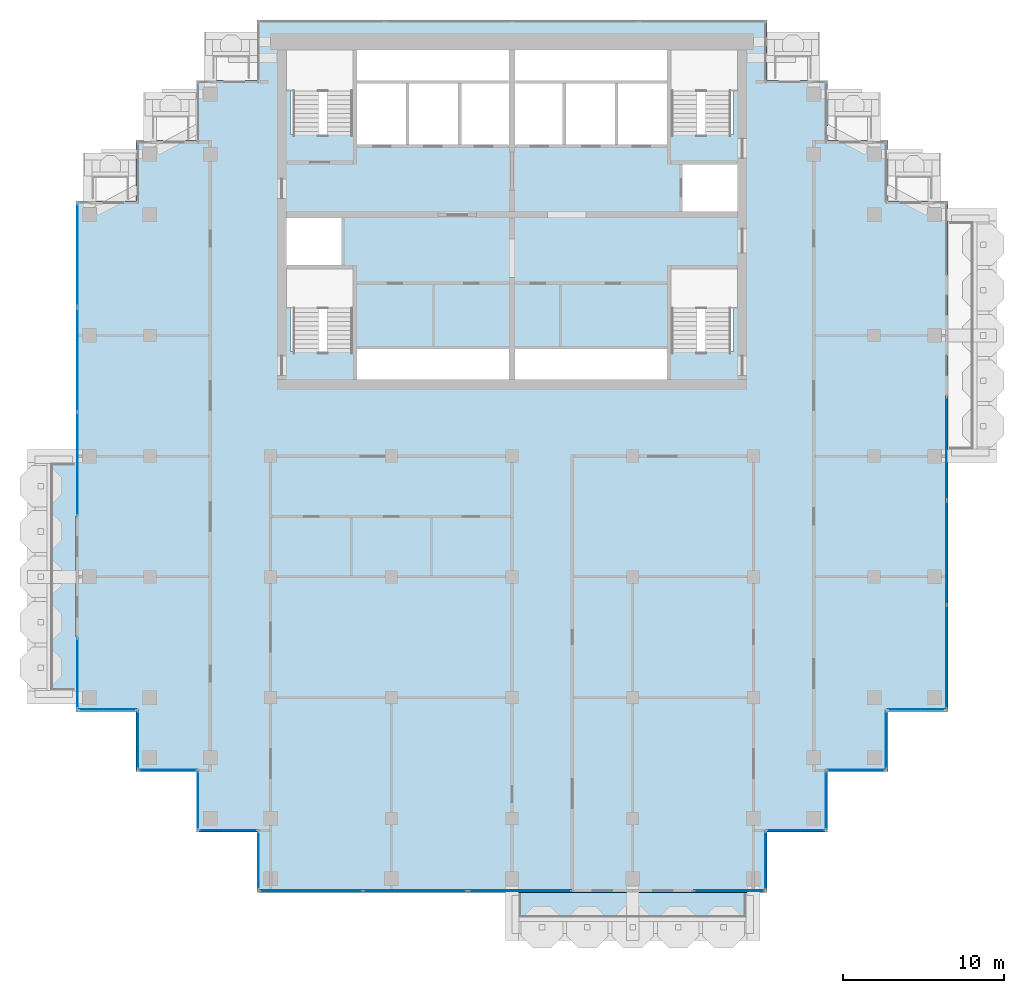
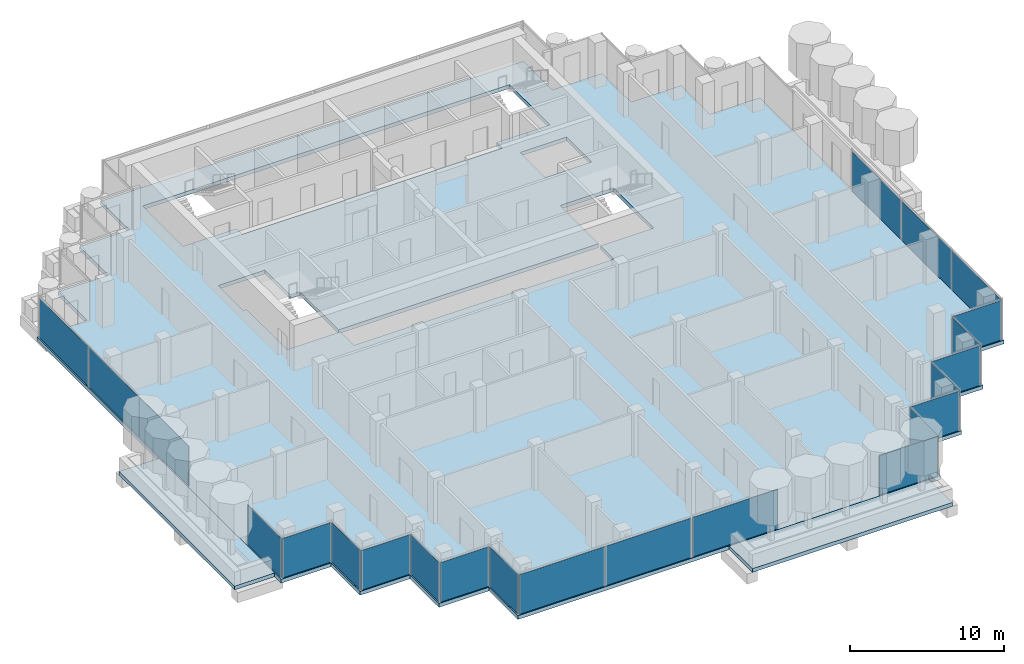
# One storey, part 8 of 18: 23 plates, 3 slabs, 20 elements without a shape of their own.
"""IFC4 building model written with IfcOpenShell, lengths in metres."""

from ifc_helpers import new_model, si_unit, direction, frame, origin, origin_2d, place, context, subcontext, project, spatial, polyline, rectangle, outline, extrude, material, layer, layer_set, type_object, element, aggregate, save


model = new_model("IFC4")

# Units and contexts
model_context = context("Model", 3, precision=1e-05, world=origin(), true_north=direction((0.0, 1.0)))
body_context = subcontext(model_context, "Body", "Model", "MODEL_VIEW")
ifc_project = project(units=[si_unit("LENGTHUNIT", "METRE"), si_unit("AREAUNIT", "SQUARE_METRE"), si_unit("VOLUMEUNIT", "CUBIC_METRE"), si_unit("PLANEANGLEUNIT", "RADIAN"), si_unit("MASSUNIT", "GRAM", prefix="KILO")], contexts=[model_context])

# Site, building, storey
site_placement = place(None, origin())
site = spatial("IfcSite", under=ifc_project, at=site_placement, CompositionType="ELEMENT")
building_placement = place(site_placement, origin())
building = spatial("IfcBuilding", under=site, at=building_placement, Name="Pilkhan Gate Tower", CompositionType="ELEMENT")
storey_placement = place(building_placement, frame((0.0, 0.0, 231.89990234375)))
storey = spatial("IfcBuildingStorey", under=building, at=storey_placement, Name="L60", CompositionType="ELEMENT", Elevation=231.89990234375)

# Slabs
ifc_material_1 = material(Name="Concrete C60/75", Category="concrete")
ifc_layer_1 = layer(ifc_material_1, 0.300048828125)
ifc_layer_set_1 = layer_set([ifc_layer_1], Name="Balcony tray slab TR300")
slab_type_1 = type_object("IfcSlabType", Name="Balcony tray slab TR300", PredefinedType="FLOOR", material=ifc_layer_set_1)
slab_1_placement = place(storey_placement, frame((0.0, 0.0, -0.2998046875)))
element("IfcSlab", 1, at=slab_1_placement, inside=storey, type_object=slab_type_1, Name="Balcony tray L60 S", PredefinedType="FLOOR", context=body_context, shape_type="SweptSolid", body=[
    extrude(outline(polyline([(90.0, 37.39990234375), (90.0, 40.39990234375), (75.0, 40.39990234375), (75.0, 37.39990234375), (90.0, 37.39990234375)])), origin(), (0.0, 0.0, 1.0), 0.2998046875),
])
slab_2_placement = place(storey_placement, frame((0.0, 0.0, -0.2998046875)))
element("IfcSlab", 2, at=slab_2_placement, inside=storey, type_object=slab_type_1, Name="Balcony tray L60 W", PredefinedType="FLOOR", context=body_context, shape_type="SweptSolid", body=[
    extrude(outline(polyline([(47.89990234375, 52.5), (47.89990234375, 67.5), (44.89990234375, 67.5), (44.89990234375, 52.5), (47.89990234375, 52.5)])), origin(), (0.0, 0.0, 1.0), 0.2998046875),
])
ifc_material_2 = material(Name="Concrete C40/50", Category="concrete")
ifc_layer_2 = layer(ifc_material_2, 0.300048828125)
ifc_layer_set_2 = layer_set([ifc_layer_2], Name="Flat plate slab FP300")
slab_type_2 = type_object("IfcSlabType", Name="Flat plate slab FP300", PredefinedType="FLOOR", material=ifc_layer_set_2)
slab_3_placement = place(storey_placement, frame((0.0, 0.0, -0.2998046875)))
element("IfcSlab", 3, at=slab_3_placement, inside=storey, type_object=slab_type_2, Name="Floor slab L60", PredefinedType="FLOOR", context=body_context, shape_type="SweptSolid", body=[
    extrude(outline(polyline([(98.35009765625, 47.89990234375), (94.60009765625, 47.89990234375), (94.60009765625, 44.14990234375), (90.85009765625, 44.14990234375), (90.85009765625, 40.39990234375), (59.14990234375, 40.39990234375), (59.14990234375, 44.14990234375), (55.39990234375, 44.14990234375), (55.39990234375, 47.89990234375), (51.64990234375, 47.89990234375), (51.64990234375, 51.64990234375), (47.89990234375, 51.64990234375), (47.89990234375, 83.35009765625), (51.64990234375, 83.35009765625), (51.64990234375, 87.10009765625), (55.39990234375, 87.10009765625), (55.39990234375, 90.85009765625), (59.14990234375, 90.85009765625), (59.14990234375, 94.60009765625), (90.85009765625, 94.60009765625), (90.85009765625, 90.85009765625), (94.60009765625, 90.85009765625), (94.60009765625, 87.10009765625), (98.35009765625, 87.10009765625), (98.35009765625, 83.35009765625), (102.10009765625, 83.35009765625), (102.10009765625, 51.64990234375), (98.35009765625, 51.64990234375), (98.35009765625, 47.89990234375)]), holes=[polyline([(75.0, 72.25), (84.75, 72.25), (84.75, 74.0), (88.75, 74.0), (88.75, 79.25), (84.75, 79.25), (84.75, 74.25), (75.0, 74.25), (65.25, 74.25), (65.25, 79.25), (64.5, 79.25), (64.5, 82.5), (61.25, 82.5), (61.0, 82.5), (61.0, 79.25), (61.25, 79.25), (61.25, 74.0), (65.25, 74.0), (65.25, 72.25), (75.0, 72.25)]), polyline([(68.5, 86.75), (71.75, 86.75), (75.0, 86.75), (78.25, 86.75), (81.5, 86.75), (84.75, 86.75), (84.75, 87.5), (88.75, 87.5), (88.75, 92.75), (84.75, 92.75), (75.0, 92.75), (65.25, 92.75), (61.25, 92.75), (61.25, 87.5), (65.25, 87.5), (65.25, 86.75), (68.5, 86.75)]), polyline([(85.5, 85.75), (85.5, 82.5), (88.75, 82.5), (89.0, 82.5), (89.0, 85.75), (88.75, 85.75), (85.5, 85.75)])]), origin(), (0.0, 0.0, 1.0), 0.2998046875),
])

# Curtain wall, plates
ifc_material_3 = material(Name="Pale anodised aluminium, clear low-iron double glazing", Category="aluminium")
curtain_wall_type = type_object("IfcCurtainWallType", Name="Office unitised curtain wall CW-O2", PredefinedType="USERDEFINED", material=ifc_material_3)
curtain_wall_1_placement = place(storey_placement, origin())
curtain_wall_1 = element("IfcCurtainWall", 4, at=curtain_wall_1_placement, inside=storey, type_object=curtain_wall_type, Name="Office unitised curtain wall CW-O2 L60 E", ObjectType="UNITISED CURTAIN WALL", PredefinedType="USERDEFINED")
ifc_material_4 = material(Name="Clear low-iron double glazing", Category="glass")
ifc_layer_3 = layer(ifc_material_4, 0.031982421875)
ifc_layer_set_3 = layer_set([ifc_layer_3], Name="Glass panel CW-O2 32")
plate_type = type_object("IfcPlateType", Name="Glass panel CW-O2 32", PredefinedType="CURTAIN_PANEL", material=ifc_layer_set_3)
plate_1_placement = place(storey_placement, frame((102.0, 55.016357421875, 0.0), z_axis=(0.0, 0.0, 1.0), x_axis=(0.0, 1.0, 0.0)))
plate_1 = element("IfcPlate", 5, at=plate_1_placement, type_object=plate_type, Name="CW-O2 panel 1", PredefinedType="CURTAIN_PANEL", context=body_context, shape_type="SweptSolid", body=[
    extrude(rectangle(XDim=6.402587890625, YDim=0.031982421875, at=origin_2d()), origin(), (0.0, 0.0, 1.0), 3.135009765625),
])
plate_2_placement = place(storey_placement, frame((102.0, 61.483642578125, 0.0), z_axis=(0.0, 0.0, 1.0), x_axis=(0.0, 1.0, 0.0)))
plate_2 = element("IfcPlate", 6, at=plate_2_placement, type_object=plate_type, Name="CW-O2 panel 2", PredefinedType="CURTAIN_PANEL", context=body_context, shape_type="SweptSolid", body=[
    extrude(rectangle(XDim=6.402587890625, YDim=0.031982421875, at=origin_2d()), origin(), (0.0, 0.0, 1.0), 3.135009765625),
])
aggregate(curtain_wall_1, [plate_1, plate_2])

# Curtain wall, plate
curtain_wall_2_placement = place(storey_placement, origin())
curtain_wall_2 = element("IfcCurtainWall", 7, at=curtain_wall_2_placement, inside=storey, type_object=curtain_wall_type, Name="Office unitised curtain wall CW-O2 L60 E", ObjectType="UNITISED CURTAIN WALL", PredefinedType="USERDEFINED")
plate_3_placement = place(storey_placement, frame((102.0, 68.0, 0.0), z_axis=(0.0, 0.0, 1.0), x_axis=(0.0, 1.0, 0.0)))
plate_3 = element("IfcPlate", 8, at=plate_3_placement, type_object=plate_type, Name="CW-O2 panel 1", PredefinedType="CURTAIN_PANEL", context=body_context, shape_type="SweptSolid", body=[
    extrude(rectangle(XDim=6.3701171875, YDim=0.031982421875, at=origin_2d()), origin(), (0.0, 0.0, 1.0), 3.135009765625),
])
aggregate(curtain_wall_2, [plate_3])

curtain_wall_3_placement = place(storey_placement, origin())
curtain_wall_3 = element("IfcCurtainWall", 9, at=curtain_wall_3_placement, inside=storey, type_object=curtain_wall_type, Name="Office unitised curtain wall CW-O2 L60 W", ObjectType="UNITISED CURTAIN WALL", PredefinedType="USERDEFINED")
plate_4_placement = place(storey_placement, frame((48.0, 54.0, 0.0), z_axis=(0.0, 0.0, 1.0), x_axis=(0.0, 1.0, 0.0)))
plate_4 = element("IfcPlate", 10, at=plate_4_placement, type_object=plate_type, Name="CW-O2 panel 1", PredefinedType="CURTAIN_PANEL", context=body_context, shape_type="SweptSolid", body=[
    extrude(rectangle(XDim=4.3701171875, YDim=0.031982421875, at=origin_2d()), origin(), (0.0, 0.0, 1.0), 3.135009765625),
])
aggregate(curtain_wall_3, [plate_4])

# Curtain wall, plates
curtain_wall_4_placement = place(storey_placement, origin())
curtain_wall_4 = element("IfcCurtainWall", 11, at=curtain_wall_4_placement, inside=storey, type_object=curtain_wall_type, Name="Office unitised curtain wall CW-O2 L60 W", ObjectType="UNITISED CURTAIN WALL", PredefinedType="USERDEFINED")
plate_5_placement = place(storey_placement, frame((48.0, 67.016357421875, 0.0), z_axis=(0.0, 0.0, 1.0), x_axis=(0.0, 1.0, 0.0)))
plate_5 = element("IfcPlate", 12, at=plate_5_placement, type_object=plate_type, Name="CW-O2 panel 1", PredefinedType="CURTAIN_PANEL", context=body_context, shape_type="SweptSolid", body=[
    extrude(rectangle(XDim=6.402587890625, YDim=0.031982421875, at=origin_2d()), origin(), (0.0, 0.0, 1.0), 3.135009765625),
])
plate_6_placement = place(storey_placement, frame((48.0, 73.483642578125, 0.0), z_axis=(0.0, 0.0, 1.0), x_axis=(0.0, 1.0, 0.0)))
plate_6 = element("IfcPlate", 13, at=plate_6_placement, type_object=plate_type, Name="CW-O2 panel 2", PredefinedType="CURTAIN_PANEL", context=body_context, shape_type="SweptSolid", body=[
    extrude(rectangle(XDim=6.402587890625, YDim=0.031982421875, at=origin_2d()), origin(), (0.0, 0.0, 1.0), 3.135009765625),
])
aggregate(curtain_wall_4, [plate_5, plate_6])

# Curtain wall, plate
curtain_wall_5_placement = place(storey_placement, origin())
curtain_wall_5 = element("IfcCurtainWall", 14, at=curtain_wall_5_placement, inside=storey, type_object=curtain_wall_type, Name="Office unitised curtain wall CW-O2 L60 W", ObjectType="UNITISED CURTAIN WALL", PredefinedType="USERDEFINED")
plate_7_placement = place(storey_placement, frame((48.0, 80.0, 0.0), z_axis=(0.0, 0.0, 1.0), x_axis=(0.0, 1.0, 0.0)))
plate_7 = element("IfcPlate", 15, at=plate_7_placement, type_object=plate_type, Name="CW-O2 panel 1", PredefinedType="CURTAIN_PANEL", context=body_context, shape_type="SweptSolid", body=[
    extrude(rectangle(XDim=6.3701171875, YDim=0.031982421875, at=origin_2d()), origin(), (0.0, 0.0, 1.0), 3.135009765625),
])
aggregate(curtain_wall_5, [plate_7])

curtain_wall_6_placement = place(storey_placement, origin())
curtain_wall_6 = element("IfcCurtainWall", 16, at=curtain_wall_6_placement, inside=storey, type_object=curtain_wall_type, Name="Office unitised curtain wall CW-O2 L60 S", ObjectType="UNITISED CURTAIN WALL", PredefinedType="USERDEFINED")
plate_8_placement = place(storey_placement, frame((49.875, 51.75, 0.0), z_axis=(0.0, 0.0, 1.0), x_axis=(1.0, 0.0, 0.0)))
plate_8 = element("IfcPlate", 17, at=plate_8_placement, type_object=plate_type, Name="CW-O2 panel 1", PredefinedType="CURTAIN_PANEL", context=body_context, shape_type="SweptSolid", body=[
    extrude(rectangle(XDim=3.6201171875, YDim=0.031982421875, at=origin_2d()), origin(), (0.0, 0.0, 1.0), 3.135009765625),
])
aggregate(curtain_wall_6, [plate_8])

curtain_wall_7_placement = place(storey_placement, origin())
curtain_wall_7 = element("IfcCurtainWall", 18, at=curtain_wall_7_placement, inside=storey, type_object=curtain_wall_type, Name="Office unitised curtain wall CW-O2 L60 W", ObjectType="UNITISED CURTAIN WALL", PredefinedType="USERDEFINED")
plate_9_placement = place(storey_placement, frame((51.75, 49.875, 0.0), z_axis=(0.0, 0.0, 1.0), x_axis=(0.0, 1.0, 0.0)))
plate_9 = element("IfcPlate", 19, at=plate_9_placement, type_object=plate_type, Name="CW-O2 panel 1", PredefinedType="CURTAIN_PANEL", context=body_context, shape_type="SweptSolid", body=[
    extrude(rectangle(XDim=3.6201171875, YDim=0.031982421875, at=origin_2d()), origin(), (0.0, 0.0, 1.0), 3.135009765625),
])
aggregate(curtain_wall_7, [plate_9])

curtain_wall_8_placement = place(storey_placement, origin())
curtain_wall_8 = element("IfcCurtainWall", 20, at=curtain_wall_8_placement, inside=storey, type_object=curtain_wall_type, Name="Office unitised curtain wall CW-O2 L60 S", ObjectType="UNITISED CURTAIN WALL", PredefinedType="USERDEFINED")
plate_10_placement = place(storey_placement, frame((53.625, 48.0, 0.0), z_axis=(0.0, 0.0, 1.0), x_axis=(1.0, 0.0, 0.0)))
plate_10 = element("IfcPlate", 21, at=plate_10_placement, type_object=plate_type, Name="CW-O2 panel 1", PredefinedType="CURTAIN_PANEL", context=body_context, shape_type="SweptSolid", body=[
    extrude(rectangle(XDim=3.6201171875, YDim=0.031982421875, at=origin_2d()), origin(), (0.0, 0.0, 1.0), 3.135009765625),
])
aggregate(curtain_wall_8, [plate_10])

curtain_wall_9_placement = place(storey_placement, origin())
curtain_wall_9 = element("IfcCurtainWall", 22, at=curtain_wall_9_placement, inside=storey, type_object=curtain_wall_type, Name="Office unitised curtain wall CW-O2 L60 W", ObjectType="UNITISED CURTAIN WALL", PredefinedType="USERDEFINED")
plate_11_placement = place(storey_placement, frame((55.5, 46.125, 0.0), z_axis=(0.0, 0.0, 1.0), x_axis=(0.0, 1.0, 0.0)))
plate_11 = element("IfcPlate", 23, at=plate_11_placement, type_object=plate_type, Name="CW-O2 panel 1", PredefinedType="CURTAIN_PANEL", context=body_context, shape_type="SweptSolid", body=[
    extrude(rectangle(XDim=3.6201171875, YDim=0.031982421875, at=origin_2d()), origin(), (0.0, 0.0, 1.0), 3.135009765625),
])
aggregate(curtain_wall_9, [plate_11])

curtain_wall_10_placement = place(storey_placement, origin())
curtain_wall_10 = element("IfcCurtainWall", 24, at=curtain_wall_10_placement, inside=storey, type_object=curtain_wall_type, Name="Office unitised curtain wall CW-O2 L60 S", ObjectType="UNITISED CURTAIN WALL", PredefinedType="USERDEFINED")
plate_12_placement = place(storey_placement, frame((57.375, 44.25, 0.0), z_axis=(0.0, 0.0, 1.0), x_axis=(1.0, 0.0, 0.0)))
plate_12 = element("IfcPlate", 25, at=plate_12_placement, type_object=plate_type, Name="CW-O2 panel 1", PredefinedType="CURTAIN_PANEL", context=body_context, shape_type="SweptSolid", body=[
    extrude(rectangle(XDim=3.6201171875, YDim=0.031982421875, at=origin_2d()), origin(), (0.0, 0.0, 1.0), 3.135009765625),
])
aggregate(curtain_wall_10, [plate_12])

curtain_wall_11_placement = place(storey_placement, origin())
curtain_wall_11 = element("IfcCurtainWall", 26, at=curtain_wall_11_placement, inside=storey, type_object=curtain_wall_type, Name="Office unitised curtain wall CW-O2 L60 W", ObjectType="UNITISED CURTAIN WALL", PredefinedType="USERDEFINED")
plate_13_placement = place(storey_placement, frame((59.25, 42.375, 0.0), z_axis=(0.0, 0.0, 1.0), x_axis=(0.0, 1.0, 0.0)))
plate_13 = element("IfcPlate", 27, at=plate_13_placement, type_object=plate_type, Name="CW-O2 panel 1", PredefinedType="CURTAIN_PANEL", context=body_context, shape_type="SweptSolid", body=[
    extrude(rectangle(XDim=3.6201171875, YDim=0.031982421875, at=origin_2d()), origin(), (0.0, 0.0, 1.0), 3.135009765625),
])
aggregate(curtain_wall_11, [plate_13])

# Curtain wall, plates
curtain_wall_12_placement = place(storey_placement, origin())
curtain_wall_12 = element("IfcCurtainWall", 28, at=curtain_wall_12_placement, inside=storey, type_object=curtain_wall_type, Name="Office unitised curtain wall CW-O2 L60 S", ObjectType="UNITISED CURTAIN WALL", PredefinedType="USERDEFINED")
plate_14_placement = place(storey_placement, frame((62.516357421875, 40.5, 0.0), z_axis=(0.0, 0.0, 1.0), x_axis=(1.0, 0.0, 0.0)))
plate_14 = element("IfcPlate", 29, at=plate_14_placement, type_object=plate_type, Name="CW-O2 panel 1", PredefinedType="CURTAIN_PANEL", context=body_context, shape_type="SweptSolid", body=[
    extrude(rectangle(XDim=6.402587890625, YDim=0.031982421875, at=origin_2d()), origin(), (0.0, 0.0, 1.0), 3.135009765625),
])
plate_15_placement = place(storey_placement, frame((68.983642578125, 40.5, 0.0), z_axis=(0.0, 0.0, 1.0), x_axis=(1.0, 0.0, 0.0)))
plate_15 = element("IfcPlate", 30, at=plate_15_placement, type_object=plate_type, Name="CW-O2 panel 2", PredefinedType="CURTAIN_PANEL", context=body_context, shape_type="SweptSolid", body=[
    extrude(rectangle(XDim=6.402587890625, YDim=0.031982421875, at=origin_2d()), origin(), (0.0, 0.0, 1.0), 3.135009765625),
])
aggregate(curtain_wall_12, [plate_14, plate_15])

# Curtain wall, plate
curtain_wall_13_placement = place(storey_placement, origin())
curtain_wall_13 = element("IfcCurtainWall", 31, at=curtain_wall_13_placement, inside=storey, type_object=curtain_wall_type, Name="Office unitised curtain wall CW-O2 L60 S", ObjectType="UNITISED CURTAIN WALL", PredefinedType="USERDEFINED")
plate_16_placement = place(storey_placement, frame((75.5, 40.5, 0.0), z_axis=(0.0, 0.0, 1.0), x_axis=(1.0, 0.0, 0.0)))
plate_16 = element("IfcPlate", 32, at=plate_16_placement, type_object=plate_type, Name="CW-O2 panel 1", PredefinedType="CURTAIN_PANEL", context=body_context, shape_type="SweptSolid", body=[
    extrude(rectangle(XDim=6.3701171875, YDim=0.031982421875, at=origin_2d()), origin(), (0.0, 0.0, 1.0), 3.135009765625),
])
aggregate(curtain_wall_13, [plate_16])

curtain_wall_14_placement = place(storey_placement, origin())
curtain_wall_14 = element("IfcCurtainWall", 33, at=curtain_wall_14_placement, inside=storey, type_object=curtain_wall_type, Name="Office unitised curtain wall CW-O2 L60 S", ObjectType="UNITISED CURTAIN WALL", PredefinedType="USERDEFINED")
plate_17_placement = place(storey_placement, frame((88.5, 40.5, 0.0), z_axis=(0.0, 0.0, 1.0), x_axis=(1.0, 0.0, 0.0)))
plate_17 = element("IfcPlate", 34, at=plate_17_placement, type_object=plate_type, Name="CW-O2 panel 1", PredefinedType="CURTAIN_PANEL", context=body_context, shape_type="SweptSolid", body=[
    extrude(rectangle(XDim=4.3701171875, YDim=0.031982421875, at=origin_2d()), origin(), (0.0, 0.0, 1.0), 3.135009765625),
])
aggregate(curtain_wall_14, [plate_17])

curtain_wall_15_placement = place(storey_placement, origin())
curtain_wall_15 = element("IfcCurtainWall", 35, at=curtain_wall_15_placement, inside=storey, type_object=curtain_wall_type, Name="Office unitised curtain wall CW-O2 L60 E", ObjectType="UNITISED CURTAIN WALL", PredefinedType="USERDEFINED")
plate_18_placement = place(storey_placement, frame((90.75, 42.375, 0.0), z_axis=(0.0, 0.0, 1.0), x_axis=(0.0, 1.0, 0.0)))
plate_18 = element("IfcPlate", 36, at=plate_18_placement, type_object=plate_type, Name="CW-O2 panel 1", PredefinedType="CURTAIN_PANEL", context=body_context, shape_type="SweptSolid", body=[
    extrude(rectangle(XDim=3.6201171875, YDim=0.031982421875, at=origin_2d()), origin(), (0.0, 0.0, 1.0), 3.135009765625),
])
aggregate(curtain_wall_15, [plate_18])

curtain_wall_16_placement = place(storey_placement, origin())
curtain_wall_16 = element("IfcCurtainWall", 37, at=curtain_wall_16_placement, inside=storey, type_object=curtain_wall_type, Name="Office unitised curtain wall CW-O2 L60 S", ObjectType="UNITISED CURTAIN WALL", PredefinedType="USERDEFINED")
plate_19_placement = place(storey_placement, frame((92.625, 44.25, 0.0), z_axis=(0.0, 0.0, 1.0), x_axis=(1.0, 0.0, 0.0)))
plate_19 = element("IfcPlate", 38, at=plate_19_placement, type_object=plate_type, Name="CW-O2 panel 1", PredefinedType="CURTAIN_PANEL", context=body_context, shape_type="SweptSolid", body=[
    extrude(rectangle(XDim=3.6201171875, YDim=0.031982421875, at=origin_2d()), origin(), (0.0, 0.0, 1.0), 3.135009765625),
])
aggregate(curtain_wall_16, [plate_19])

curtain_wall_17_placement = place(storey_placement, origin())
curtain_wall_17 = element("IfcCurtainWall", 39, at=curtain_wall_17_placement, inside=storey, type_object=curtain_wall_type, Name="Office unitised curtain wall CW-O2 L60 E", ObjectType="UNITISED CURTAIN WALL", PredefinedType="USERDEFINED")
plate_20_placement = place(storey_placement, frame((94.5, 46.125, 0.0), z_axis=(0.0, 0.0, 1.0), x_axis=(0.0, 1.0, 0.0)))
plate_20 = element("IfcPlate", 40, at=plate_20_placement, type_object=plate_type, Name="CW-O2 panel 1", PredefinedType="CURTAIN_PANEL", context=body_context, shape_type="SweptSolid", body=[
    extrude(rectangle(XDim=3.6201171875, YDim=0.031982421875, at=origin_2d()), origin(), (0.0, 0.0, 1.0), 3.135009765625),
])
aggregate(curtain_wall_17, [plate_20])

curtain_wall_18_placement = place(storey_placement, origin())
curtain_wall_18 = element("IfcCurtainWall", 41, at=curtain_wall_18_placement, inside=storey, type_object=curtain_wall_type, Name="Office unitised curtain wall CW-O2 L60 S", ObjectType="UNITISED CURTAIN WALL", PredefinedType="USERDEFINED")
plate_21_placement = place(storey_placement, frame((96.375, 48.0, 0.0), z_axis=(0.0, 0.0, 1.0), x_axis=(1.0, 0.0, 0.0)))
plate_21 = element("IfcPlate", 42, at=plate_21_placement, type_object=plate_type, Name="CW-O2 panel 1", PredefinedType="CURTAIN_PANEL", context=body_context, shape_type="SweptSolid", body=[
    extrude(rectangle(XDim=3.6201171875, YDim=0.031982421875, at=origin_2d()), origin(), (0.0, 0.0, 1.0), 3.135009765625),
])
aggregate(curtain_wall_18, [plate_21])

curtain_wall_19_placement = place(storey_placement, origin())
curtain_wall_19 = element("IfcCurtainWall", 43, at=curtain_wall_19_placement, inside=storey, type_object=curtain_wall_type, Name="Office unitised curtain wall CW-O2 L60 E", ObjectType="UNITISED CURTAIN WALL", PredefinedType="USERDEFINED")
plate_22_placement = place(storey_placement, frame((98.25, 49.875, 0.0), z_axis=(0.0, 0.0, 1.0), x_axis=(0.0, 1.0, 0.0)))
plate_22 = element("IfcPlate", 44, at=plate_22_placement, type_object=plate_type, Name="CW-O2 panel 1", PredefinedType="CURTAIN_PANEL", context=body_context, shape_type="SweptSolid", body=[
    extrude(rectangle(XDim=3.6201171875, YDim=0.031982421875, at=origin_2d()), origin(), (0.0, 0.0, 1.0), 3.135009765625),
])
aggregate(curtain_wall_19, [plate_22])

curtain_wall_20_placement = place(storey_placement, origin())
curtain_wall_20 = element("IfcCurtainWall", 45, at=curtain_wall_20_placement, inside=storey, type_object=curtain_wall_type, Name="Office unitised curtain wall CW-O2 L60 S", ObjectType="UNITISED CURTAIN WALL", PredefinedType="USERDEFINED")
plate_23_placement = place(storey_placement, frame((100.125, 51.75, 0.0), z_axis=(0.0, 0.0, 1.0), x_axis=(1.0, 0.0, 0.0)))
plate_23 = element("IfcPlate", 46, at=plate_23_placement, type_object=plate_type, Name="CW-O2 panel 1", PredefinedType="CURTAIN_PANEL", context=body_context, shape_type="SweptSolid", body=[
    extrude(rectangle(XDim=3.6201171875, YDim=0.031982421875, at=origin_2d()), origin(), (0.0, 0.0, 1.0), 3.135009765625),
])
aggregate(curtain_wall_20, [plate_23])

save(model, "model.ifc")
